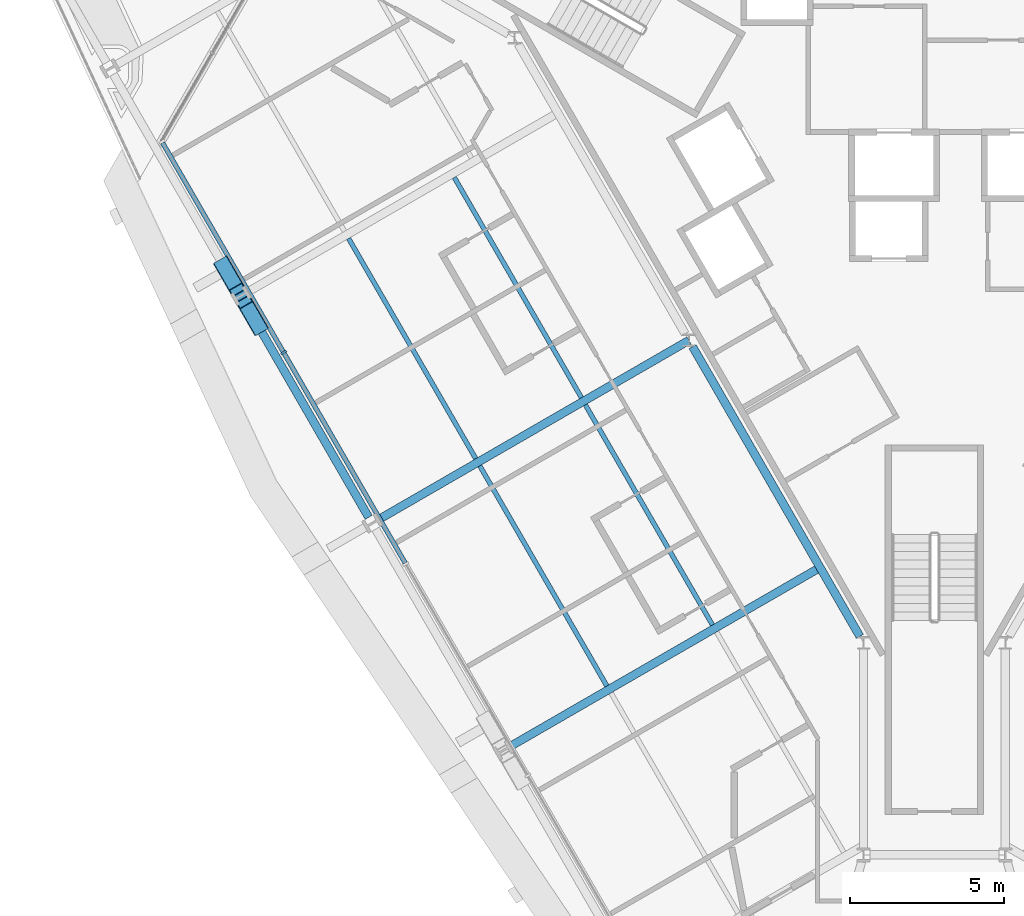
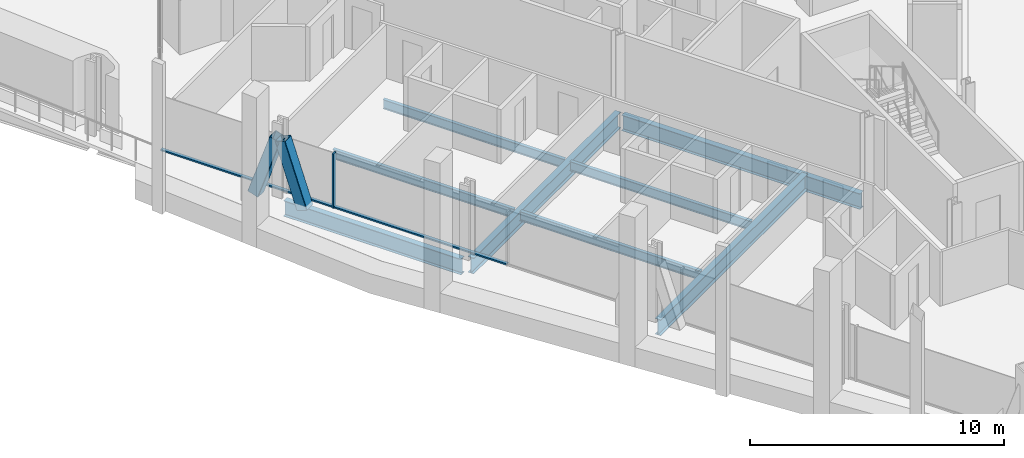
# One storey, part 4 of 19: 8 beams, 5 members, 1 element without a shape of its own.
"""IFC4 building model written with IfcOpenShell, lengths in metres."""

import ifcopenshell
import ifcopenshell.guid

model = None  # the IFC model being written
_history = None  # IfcOwnerHistory: only IFC2X3 demands one
_inside = {}  # id of a spatial element -> (the spatial element, [elements in it])
_under = {}  # id of a project, library or spatial element -> (it, [spatial elements below it])
_declared = {}  # id of a project -> (the project, [libraries it declares])
_typed = {}  # id of a type object -> (the type object, [elements of that type])
_made_of = {}  # id of a material, layer set ... -> (it, [elements and type objects made of it])


def new_model(schema):
    """Start an empty IFC model of exactly this schema.

    Asked for "IFC4X3", IfcOpenShell would pick the latest addendum, in which some entities
    have other attributes; the version numbers below select the first issue.
    IFC2X3 requires an IfcOwnerHistory on every rooted entity: one is made here for all.
    """
    global model, _history
    if schema == "IFC4X3":
        model = ifcopenshell.file(schema_version=(4, 3, 0, 0))
    else:
        model = ifcopenshell.file(schema=schema)
    _inside.clear()
    _under.clear()
    _declared.clear()
    _typed.clear()
    _made_of.clear()
    _history = None
    if model.schema == "IFC2X3":
        org = make("IfcOrganization", Name="unknown")
        user = make(
            "IfcPersonAndOrganization",
            ThePerson=make("IfcPerson", FamilyName="unknown"),
            TheOrganization=org,
        )
        app = make(
            "IfcApplication",
            ApplicationDeveloper=org,
            Version="unknown",
            ApplicationFullName="unknown",
            ApplicationIdentifier="unknown",
        )
        _history = make(
            "IfcOwnerHistory",
            OwningUser=user,
            OwningApplication=app,
            ChangeAction="ADDED",
            CreationDate=0,
        )
    return model


def make(cls, **values):
    """One entity of the class cls with the attributes given. An attribute that is None is left unset."""
    return model.create_entity(
        cls, **{name: value for name, value in values.items() if value is not None}
    )


def rooted(cls, **values):
    """An entity with a GlobalId (a new one), such as an element, a storey or a relation."""
    return make(cls, GlobalId=ifcopenshell.guid.new(), OwnerHistory=_history, **values)


def si_unit(unit_type, name, prefix=None):
    """IfcSIUnit, for example si_unit("LENGTHUNIT", "METRE", prefix="MILLI")."""
    return make("IfcSIUnit", UnitType=unit_type, Prefix=prefix, Name=name)


def assignment(units):
    """IfcUnitAssignment: the units of a project."""
    return None if units is None else make("IfcUnitAssignment", Units=units)


def point(xyz):
    """IfcCartesianPoint."""
    return None if xyz is None else make("IfcCartesianPoint", Coordinates=xyz)


def direction(xyz):
    """IfcDirection."""
    return None if xyz is None else make("IfcDirection", DirectionRatios=xyz)


def frame(location, z_axis=None, x_axis=None):
    """IfcAxis2Placement3D, a coordinate frame: its origin and axes. An axis left out is left unset."""
    return make(
        "IfcAxis2Placement3D",
        Location=point(location),
        Axis=direction(z_axis),
        RefDirection=direction(x_axis),
    )


def frame_2d(location, x_axis=None):
    """IfcAxis2Placement2D, a coordinate frame in the plane: its origin and x axis."""
    return make(
        "IfcAxis2Placement2D", Location=point(location), RefDirection=direction(x_axis)
    )


def origin():
    """The frame at (0, 0, 0) with its axes left unset."""
    return frame((0.0, 0.0, 0.0))


def origin_2d():
    """The frame at (0, 0) in the plane with its x axis left unset."""
    return frame_2d((0.0, 0.0))


def place(relative_to, where):
    """IfcLocalPlacement: puts the frame where relative to a parent placement (None: the world)."""
    return make(
        "IfcLocalPlacement", PlacementRelTo=relative_to, RelativePlacement=where
    )


def context(
    kind, dimensions, precision=None, world=None, true_north=None, identifier=None
):
    """IfcGeometricRepresentationContext, for example the 3D "Model" context."""
    return make(
        "IfcGeometricRepresentationContext",
        ContextIdentifier=identifier,
        ContextType=kind,
        CoordinateSpaceDimension=dimensions,
        Precision=precision,
        WorldCoordinateSystem=world,
        TrueNorth=true_north,
    )


def subcontext(parent, identifier, kind, view, scale=None):
    """IfcGeometricRepresentationSubContext, for example "Body" below "Model"."""
    return make(
        "IfcGeometricRepresentationSubContext",
        ContextIdentifier=identifier,
        ContextType=kind,
        ParentContext=parent,
        TargetScale=scale,
        TargetView=view,
    )


def project(units=None, contexts=None):
    """IfcProject with its units and contexts."""
    return rooted(
        "IfcProject",
        Name="project",
        RepresentationContexts=contexts,
        UnitsInContext=assignment(units),
    )


def spatial(cls, under=None, at=None, **own):
    """A site, building, storey or space (cls), placed at a placement, below another one or the project."""
    s = rooted(cls, ObjectPlacement=at, **own)
    if under is not None:
        _under.setdefault(under.id(), (under, []))[1].append(s)
    return s


def profile(cls, at=None, kind="AREA", **sizes):
    """A parametric profile (cls). Its sizes go by their IFC names, for example OverallWidth=200.0."""
    return make(cls, ProfileType=kind, Position=at, **sizes)


def rectangle(**sizes):
    """IfcRectangleProfileDef."""
    return profile("IfcRectangleProfileDef", **sizes)


def hollow_rectangle(**sizes):
    """IfcRectangleHollowProfileDef."""
    return profile("IfcRectangleHollowProfileDef", **sizes)


def i_section(**sizes):
    """IfcIShapeProfileDef."""
    return profile("IfcIShapeProfileDef", **sizes)


def extrude(swept, where, along, depth):
    """IfcExtrudedAreaSolid: the profile swept, set in the frame where, extruded along a direction by depth."""
    return make(
        "IfcExtrudedAreaSolid",
        SweptArea=swept,
        Position=where,
        ExtrudedDirection=direction(along),
        Depth=depth,
    )


def shape(context_of_items, identifier, shape_type, items):
    """IfcShapeRepresentation: the items that make up one representation, for example the "Body"."""
    return make(
        "IfcShapeRepresentation",
        ContextOfItems=context_of_items,
        RepresentationIdentifier=identifier,
        RepresentationType=shape_type,
        Items=items,
    )


def material(Name=None, Category=None):
    """IfcMaterial."""
    return make("IfcMaterial", Name=Name, Category=Category)


def material_profile(
    of_material, cross_section, Name=None, Category=None, Priority=None
):
    """IfcMaterialProfile: a cross section and its material."""
    return make(
        "IfcMaterialProfile",
        Name=Name,
        Material=of_material,
        Profile=cross_section,
        Priority=Priority,
        Category=Category,
    )


def profile_set(profiles, Name=None, composite=None):
    """IfcMaterialProfileSet."""
    return make(
        "IfcMaterialProfileSet",
        Name=Name,
        MaterialProfiles=profiles,
        CompositeProfile=composite,
    )


def made_of(thing, what):
    """Note that an element or type object is made of a material, layer set ...; save() writes the relation."""
    if what is not None:
        _made_of.setdefault(what.id(), (what, []))[1].append(thing)
    return thing


def type_object(cls, material=None, **own):
    """A type object (cls), such as IfcWallType, which elements share."""
    return made_of(rooted(cls, **own), material)


def element(
    cls,
    number,
    at=None,
    inside=None,
    cuts=None,
    type_object=None,
    material=None,
    context=None,
    identifier="Body",
    shape_type=None,
    held_by="IfcProductDefinitionShape",
    body=None,
    shapes=None,
    **own,
):
    """One element of the class cls, such as IfcWall. Its Tag is "e" and its number.

    at: its placement. inside: the storey or other place that contains it. cuts: it is an
    opening in that element (IfcRelVoidsElement). A single representation is given by context,
    identifier, shape_type and body (its items); several are given by shapes. held_by: the class
    of the entity that holds the representations. save() writes the other relations.
    """
    e = rooted(cls, Tag="e%d" % number, ObjectPlacement=at, **own)
    if body is not None:
        shapes = [shape(context, identifier, shape_type, body)]
    if shapes is not None:
        e.Representation = make(held_by, Representations=shapes)
    if inside is not None:
        _inside.setdefault(inside.id(), (inside, []))[1].append(e)
    if cuts is not None:
        rooted(
            "IfcRelVoidsElement", RelatingBuildingElement=cuts, RelatedOpeningElement=e
        )
    if type_object is not None:
        _typed.setdefault(type_object.id(), (type_object, []))[1].append(e)
    return made_of(e, material)


def aggregate(whole, parts):
    """IfcRelAggregates: a whole, such as a stair, and the parts it consists of."""
    return rooted("IfcRelAggregates", RelatingObject=whole, RelatedObjects=parts)


def save(model, path):
    """Write the relations noted so far, then the file.

    IfcRelAggregates (storeys below a building ...), IfcRelContainedInSpatialStructure (elements
    in a storey), IfcRelDefinesByType, IfcRelAssociatesMaterial and IfcRelDeclares: one each for
    every whole, place, type object, material and project.
    """
    for whole, parts in _under.values():
        aggregate(whole, parts)
    for where, things in _inside.values():
        rooted(
            "IfcRelContainedInSpatialStructure",
            RelatedElements=things,
            RelatingStructure=where,
        )
    for kind, things in _typed.values():
        rooted("IfcRelDefinesByType", RelatedObjects=things, RelatingType=kind)
    for what, things in _made_of.values():
        rooted("IfcRelAssociatesMaterial", RelatedObjects=things, RelatingMaterial=what)
    for by, libraries in _declared.values():
        rooted("IfcRelDeclares", RelatingContext=by, RelatedDefinitions=libraries)
    model.write(path)


model = new_model("IFC4")

# Units and contexts
model_context = context("Model", 3, precision=1e-05, world=origin(), true_north=direction((0.0, 1.0)))
body_context = subcontext(model_context, "Body", "Model", "MODEL_VIEW")
ifc_project = project(units=[si_unit("LENGTHUNIT", "METRE"), si_unit("AREAUNIT", "SQUARE_METRE"), si_unit("VOLUMEUNIT", "CUBIC_METRE"), si_unit("PLANEANGLEUNIT", "RADIAN"), si_unit("MASSUNIT", "GRAM", prefix="KILO")], contexts=[model_context])

# Site, building, storey
site_placement = place(None, origin())
site = spatial("IfcSite", under=ifc_project, at=site_placement, CompositionType="ELEMENT")
building_placement = place(site_placement, origin())
building = spatial("IfcBuilding", under=site, at=building_placement, Name="Verrane Prism Tower", CompositionType="ELEMENT")
storey_placement = place(building_placement, frame((0.0, 0.0, 58.39990234375)))
storey = spatial("IfcBuildingStorey", under=building, at=storey_placement, Name="L12", CompositionType="ELEMENT", Elevation=58.39990234375)

# Beam
ifc_material_1 = material(Name="Steel A992", Category="steel")
ifc_material_profile_1 = material_profile(ifc_material_1, i_section(OverallWidth=0.2666015625, OverallDepth=0.7568359375, WebThickness=0.013916015625, FlangeThickness=0.019287109375, FilletRadius=0.0166015625, at=origin_2d()), Name="W30x108")
ifc_profile_set_1 = profile_set([ifc_material_profile_1], Name="Steel A992")
beam_type_1 = type_object("IfcBeamType", Name="Core ring girder W30x108", PredefinedType="BEAM", material=ifc_profile_set_1)
beam_1_placement = place(storey_placement, frame((-7.849609375, -4.808349609375, -0.62841796875), z_axis=(0.500013103396, -0.866017838403, 0.0), x_axis=(0.866017838403, 0.500013103396, 0.0)))
element("IfcBeam", 1, at=beam_1_placement, inside=storey, type_object=beam_type_1, Name="Core ring girder L12", PredefinedType="BEAM", context=body_context, shape_type="SweptSolid", body=[
    extrude(i_section(OverallWidth=0.2666015625, OverallDepth=0.7568359375, WebThickness=0.013916015625, FlangeThickness=0.019287109375, FilletRadius=0.0166015625, at=origin_2d()), origin(), (0.0, 0.0, 1.0), 10.858154296875),
])

# Members
ifc_material_2 = material(Name="Steel A1085 Grade A", Category="steel")
ifc_material_profile_2 = material_profile(ifc_material_2, hollow_rectangle(XDim=0.508056640625, YDim=0.508056640625, WallThickness=0.025390625, InnerFilletRadius=0.0126953125, OuterFilletRadius=0.0380859375, at=origin_2d()), Name="HSS20x20x1")
ifc_profile_set_2 = profile_set([ifc_material_profile_2], Name="Steel A1085 Grade A")
member_type_1 = type_object("IfcMemberType", Name="Facade brace HSS20x20x1", PredefinedType="BRACE", material=ifc_profile_set_2)
for number, where, z_axis, x_axis, name in (
    (2, (-23.067138671875, -2.1923828125, -0.242431640625), (0.159778095034, -0.277484674083, 0.947350629913), (0.866603290849, 0.498997731749, 0.0), "Facade brace SW1 L12"),
    (3, (-21.951416015625, -4.127685546875, -0.242431640625), (-0.160158369924, 0.277467351404, 0.947291489167), (-0.866076057046, -0.499912255713, 0.0), "Facade brace SW2 L12"),
):
    element("IfcMember", number, at=place(storey_placement, frame(where, z_axis=z_axis, x_axis=x_axis)), inside=storey, type_object=member_type_1, Name=name, PredefinedType="BRACE", context=body_context, shape_type="SweptSolid", body=[
        extrude(hollow_rectangle(XDim=0.508056640625, YDim=0.508056640625, WallThickness=0.025390625, InnerFilletRadius=0.0126953125, OuterFilletRadius=0.0380859375, at=origin_2d()), origin(), (0.0, 0.0, 1.0), 3.1279296875),
    ])

# Beams
ifc_material_3 = material(Name="Steel A992", Category="steel")
ifc_material_profile_3 = material_profile(ifc_material_3, i_section(OverallWidth=0.15234375, OverallDepth=0.449462890625, WebThickness=0.007568359375, FlangeThickness=0.0107421875, FilletRadius=0.01025390625, at=origin_2d()), Name="W18x35")
ifc_profile_set_3 = profile_set([ifc_material_profile_3], Name="Steel A992")
beam_type_2 = type_object("IfcBeamType", Name="Floor beam W18x35", PredefinedType="BEAM", material=ifc_profile_set_3)
beam_2_placement = place(storey_placement, frame((-11.4580078125, -6.461181640625, -0.384765625), z_axis=(-0.500002492643, 0.866023964651, 0.0), x_axis=(-0.866023964651, -0.500002492643, 0.0)))
element("IfcBeam", 4, at=beam_2_placement, inside=storey, type_object=beam_type_2, Name="Floor beam L12", PredefinedType="BEAM", context=body_context, shape_type="SweptSolid", body=[
    extrude(i_section(OverallWidth=0.15234375, OverallDepth=0.449462890625, WebThickness=0.007568359375, FlangeThickness=0.0107421875, FilletRadius=0.01025390625, at=origin_2d()), origin(), (0.0, 0.0, 1.0), 8.2509765625),
])
beam_3_placement = place(storey_placement, frame((-14.887451171875, -8.44287109375, -0.384765625), z_axis=(-0.499992194788, 0.866029910079, 0.0), x_axis=(-0.866029910079, -0.499992194788, 0.0)))
element("IfcBeam", 5, at=beam_3_placement, inside=storey, type_object=beam_type_2, Name="Floor beam L12", PredefinedType="BEAM", context=body_context, shape_type="SweptSolid", body=[
    extrude(i_section(OverallWidth=0.15234375, OverallDepth=0.449462890625, WebThickness=0.007568359375, FlangeThickness=0.0107421875, FilletRadius=0.01025390625, at=origin_2d()), origin(), (0.0, 0.0, 1.0), 8.252685546875),
])
beam_4_placement = place(storey_placement, frame((-7.2041015625, -13.841552734375, -0.384765625), z_axis=(-0.499999059579, 0.866025946736, 0.0), x_axis=(-0.866025946736, -0.499999059579, 0.0)))
element("IfcBeam", 6, at=beam_4_placement, inside=storey, type_object=beam_type_2, Name="Floor beam L12", PredefinedType="BEAM", context=body_context, shape_type="SweptSolid", body=[
    extrude(i_section(OverallWidth=0.15234375, OverallDepth=0.449462890625, WebThickness=0.007568359375, FlangeThickness=0.0107421875, FilletRadius=0.01025390625, at=origin_2d()), origin(), (0.0, 0.0, 1.0), 8.25146484375),
])
beam_5_placement = place(storey_placement, frame((-10.63232421875, -15.819091796875, -0.384765625), z_axis=(-0.499994031393, 0.866028849734, 0.0), x_axis=(-0.866028849734, -0.499994031393, 0.0)))
element("IfcBeam", 7, at=beam_5_placement, inside=storey, type_object=beam_type_2, Name="Floor beam L12", PredefinedType="BEAM", context=body_context, shape_type="SweptSolid", body=[
    extrude(i_section(OverallWidth=0.15234375, OverallDepth=0.449462890625, WebThickness=0.007568359375, FlangeThickness=0.0107421875, FilletRadius=0.01025390625, at=origin_2d()), origin(), (0.0, 0.0, 1.0), 8.24853515625),
])

# Curtain wall, member
ifc_material_4 = material(Name="Aluminium framed insulated glazing", Category="aluminium")
curtain_wall_type = type_object("IfcCurtainWallType", Name="Curtain wall CW-A 8400 module", PredefinedType="NOTDEFINED", material=ifc_material_4)
curtain_wall_placement = place(storey_placement, origin())
curtain_wall = element("IfcCurtainWall", 8, at=curtain_wall_placement, inside=storey, type_object=curtain_wall_type, Name="Glazed curtain wall south-west face L12", PredefinedType="NOTDEFINED")
ifc_material_5 = material(Name="Aluminium alloy 6063-T6", Category="aluminium")
ifc_material_profile_4 = material_profile(ifc_material_5, rectangle(XDim=0.199951171875, YDim=0.070068359375, at=origin_2d()), Name="Mullion 70x200 aluminium")
ifc_profile_set_4 = profile_set([ifc_material_profile_4], Name="Aluminium alloy 6063-T6")
member_type_2 = type_object("IfcMemberType", Name="Mullion 70x200 aluminium", PredefinedType="MULLION", material=ifc_profile_set_4)
member_1_placement = place(storey_placement, frame((-21.123046875, -4.995849609375, 0.0), z_axis=(0.0, 0.0, 1.0), x_axis=(0.866025602176, 0.499999656376, 0.0)))
member_1 = element("IfcMember", 9, at=member_1_placement, type_object=member_type_2, Name="CW12.4 mullion 2", PredefinedType="MULLION", context=body_context, shape_type="SweptSolid", body=[
    extrude(rectangle(XDim=0.199951171875, YDim=0.070068359375, at=origin_2d()), origin(), (0.0, 0.0, 1.0), 2.613037109375),
])

# Beams
ifc_material_6 = material(Name="Steel A992", Category="steel")
ifc_material_profile_5 = material_profile(ifc_material_6, i_section(OverallWidth=0.2666015625, OverallDepth=0.76708984375, WebThickness=0.014892578125, FlangeThickness=0.023681640625, FilletRadius=0.0166015625, at=origin_2d()), Name="W30x124")
ifc_profile_set_5 = profile_set([ifc_material_profile_5], Name="Steel A992")
beam_type_3 = type_object("IfcBeamType", Name="Radial girder W30x124", PredefinedType="BEAM", material=ifc_profile_set_5)
beam_6_placement = place(storey_placement, frame((-18.02001953125, -10.4072265625, -0.603515625), z_axis=(0.866018505729, 0.500011947592, 0.0), x_axis=(-0.500011947592, 0.866018505729, 0.0)))
element("IfcBeam", 10, at=beam_6_placement, inside=storey, type_object=beam_type_3, Name="Radial girder L12", PredefinedType="BEAM", context=body_context, shape_type="SweptSolid", body=[
    extrude(i_section(OverallWidth=0.2666015625, OverallDepth=0.76708984375, WebThickness=0.014892578125, FlangeThickness=0.023681640625, FilletRadius=0.0166015625, at=origin_2d()), origin(), (0.0, 0.0, 1.0), 11.607177734375),
])
beam_7_placement = place(storey_placement, frame((-13.760009765625, -17.77734375, -0.603515625), z_axis=(0.86601774804, 0.500013259905, 0.0), x_axis=(-0.500013259905, 0.86601774804, 0.0)))
element("IfcBeam", 11, at=beam_7_placement, inside=storey, type_object=beam_type_3, Name="Radial girder L12", PredefinedType="BEAM", context=body_context, shape_type="SweptSolid", body=[
    extrude(i_section(OverallWidth=0.2666015625, OverallDepth=0.76708984375, WebThickness=0.014892578125, FlangeThickness=0.023681640625, FilletRadius=0.0166015625, at=origin_2d()), origin(), (0.0, 0.0, 1.0), 11.603271484375),
])
ifc_material_7 = material(Name="Steel A992", Category="steel")
ifc_material_profile_6 = material_profile(ifc_material_7, i_section(OverallWidth=0.2666015625, OverallDepth=0.7568359375, WebThickness=0.013916015625, FlangeThickness=0.019287109375, FilletRadius=0.0166015625, at=origin_2d()), Name="W30x108")
ifc_profile_set_6 = profile_set([ifc_material_profile_6], Name="Steel A992")
beam_type_4 = type_object("IfcBeamType", Name="Spandrel beam W30x108", PredefinedType="SPANDREL", material=ifc_profile_set_6)
beam_8_placement = place(storey_placement, frame((-22.3994140625, -3.351318359375, -0.538330078125), z_axis=(0.499899459246, -0.866083443235, 0.0), x_axis=(0.866083443235, 0.499899459246, 0.0)))
element("IfcBeam", 12, at=beam_8_placement, inside=storey, type_object=beam_type_4, Name="Spandrel beam L12", PredefinedType="SPANDREL", context=body_context, shape_type="SweptSolid", body=[
    extrude(i_section(OverallWidth=0.2666015625, OverallDepth=0.7568359375, WebThickness=0.013916015625, FlangeThickness=0.019287109375, FilletRadius=0.0166015625, at=origin_2d()), origin(), (0.0, 0.0, 1.0), 8.079345703125),
])

# Member
ifc_material_8 = material(Name="Aluminium alloy 6063-T6", Category="aluminium")
ifc_material_profile_7 = material_profile(ifc_material_8, rectangle(XDim=0.14990234375, YDim=0.070068359375, at=origin_2d()), Name="Transom 70x150 aluminium")
ifc_profile_set_7 = profile_set([ifc_material_profile_7], Name="Aluminium alloy 6063-T6")
member_type_3 = type_object("IfcMemberType", Name="Transom 70x150 aluminium", PredefinedType="USERDEFINED", material=ifc_profile_set_7)
member_2_placement = place(storey_placement, frame((-25.0517578125, 1.808837890625, 0.03515625), z_axis=(0.500016027764, -0.866016149953, 0.0), x_axis=(0.866016149953, 0.500016027764, 0.0)))
member_2 = element("IfcMember", 13, at=member_2_placement, type_object=member_type_3, Name="CW12.4 transom 1", ObjectType="TRANSOM", PredefinedType="USERDEFINED", context=body_context, shape_type="SweptSolid", body=[
    extrude(rectangle(XDim=0.14990234375, YDim=0.070068359375, at=origin_2d()), origin(), (0.0, 0.0, 1.0), 7.822509765625),
])

member_3_placement = place(storey_placement, frame((-21.10546875, -5.0263671875, 0.03515625), z_axis=(0.500002174158, -0.86602414853, 0.0), x_axis=(0.86602414853, 0.500002174158, 0.0)))
member_3 = element("IfcMember", 14, at=member_3_placement, type_object=member_type_3, Name="CW12.4 transom 2", ObjectType="TRANSOM", PredefinedType="USERDEFINED", context=body_context, shape_type="SweptSolid", body=[
    extrude(rectangle(XDim=0.14990234375, YDim=0.070068359375, at=origin_2d()), origin(), (0.0, 0.0, 1.0), 7.857421875),
])

aggregate(curtain_wall, [member_1, member_2, member_3])

save(model, "model.ifc")
